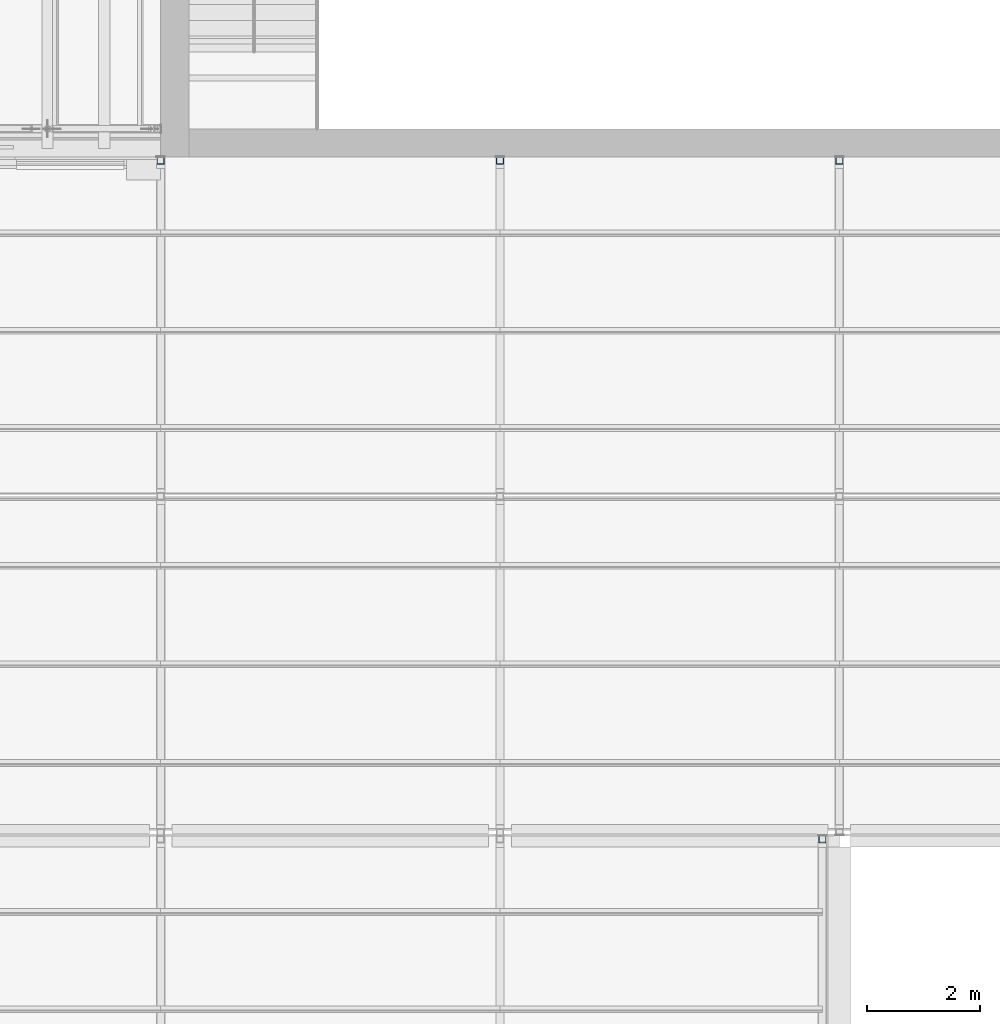
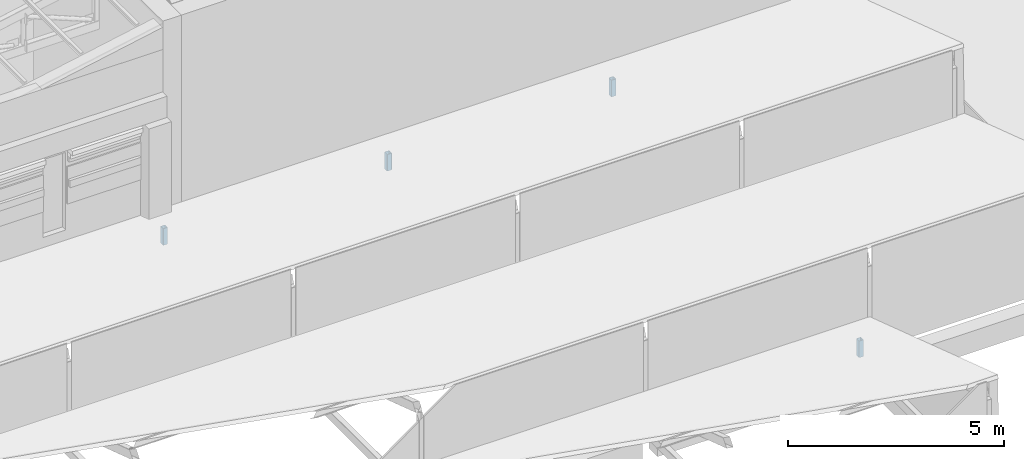
# One storey, part 51 of 118: 4 members.
"""IFC4 building model written with IfcOpenShell, lengths in metres."""

from ifc_helpers import new_model, si_unit, direction, frame, origin, origin_2d, place, context, subcontext, project, spatial, hollow_rectangle, extrude, material, material_profile, profile_set, type_object, element, save


model = new_model("IFC4")

# Units and contexts
model_context = context("Model", 3, precision=1e-05, world=origin(), true_north=direction((0.0, 1.0)))
body_context = subcontext(model_context, "Body", "Model", "MODEL_VIEW")
ifc_project = project(units=[si_unit("LENGTHUNIT", "METRE"), si_unit("AREAUNIT", "SQUARE_METRE"), si_unit("VOLUMEUNIT", "CUBIC_METRE"), si_unit("PLANEANGLEUNIT", "RADIAN"), si_unit("MASSUNIT", "GRAM", prefix="KILO")], contexts=[model_context])

# Site, building, storey
site_placement = place(None, origin())
site = spatial("IfcSite", under=ifc_project, at=site_placement, CompositionType="ELEMENT")
building_placement = place(site_placement, origin())
building = spatial("IfcBuilding", under=site, at=building_placement, Name="Saffron Lane Theatres", CompositionType="ELEMENT")
storey_placement = place(building_placement, frame((0.0, 0.0, 16.5)))
storey = spatial("IfcBuildingStorey", under=building, at=storey_placement, Name="L03", CompositionType="ELEMENT", Elevation=16.5)

# Members
ifc_material = material(Name="Steel Grade 350", Category="steel")
ifc_material_profile = material_profile(ifc_material, hollow_rectangle(XDim=0.125, YDim=0.125, WallThickness=0.006103515625, InnerFilletRadius=0.0029296875, OuterFilletRadius=0.009033203125, at=origin_2d()))
ifc_profile_set = profile_set([ifc_material_profile], Name="Steel Grade 350")
member_type = type_object("IfcMemberType", Name="ST-STUDIO POST 125x125x6 SHS", PredefinedType="POST", material=ifc_profile_set)
for number, where, z_axis, x_axis, name in (
    (1, (29.699951171875, 17.9375, 0.25), (0.0, 0.0, 1.0), (1.0, 0.0, 0.0), "GBP39"),
    (2, (18.0, 29.9375, 0.25), (0.0, 0.0, 1.0), (1.0, 0.0, 0.0), "GSP17"),
    (3, (24.0, 29.9375, 0.25), (0.0, 0.0, 1.0), (1.0, 0.0, 0.0), "GSP23"),
    (4, (30.0, 29.9375, 0.25), (0.0, 0.0, 1.0), (1.0, 0.0, 0.0), "GSP29"),
):
    element("IfcMember", number, at=place(storey_placement, frame(where, z_axis=z_axis, x_axis=x_axis)), inside=storey, type_object=member_type, Name=name, PredefinedType="POST", context=body_context, shape_type="SweptSolid", body=[
        extrude(hollow_rectangle(XDim=0.125, YDim=0.125, WallThickness=0.006103515625, InnerFilletRadius=0.0029296875, OuterFilletRadius=0.009033203125, at=origin_2d()), origin(), (0.0, 0.0, 1.0), 0.470703125),
    ])

save(model, "model.ifc")
